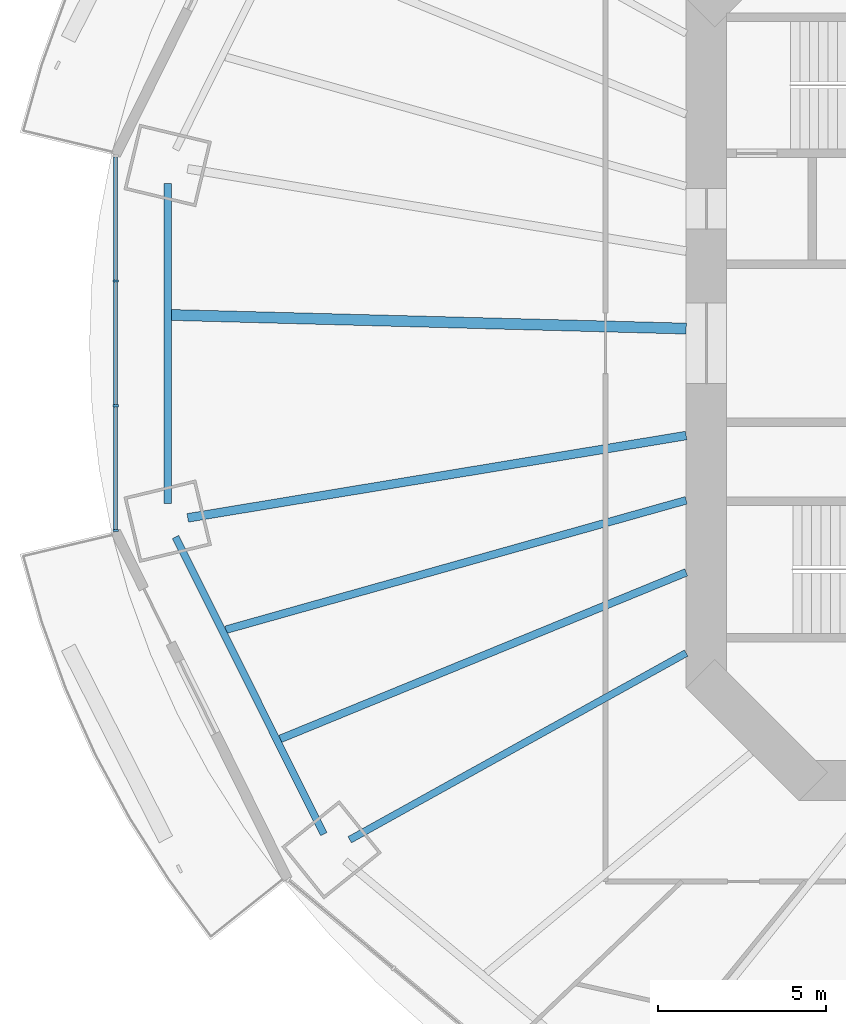
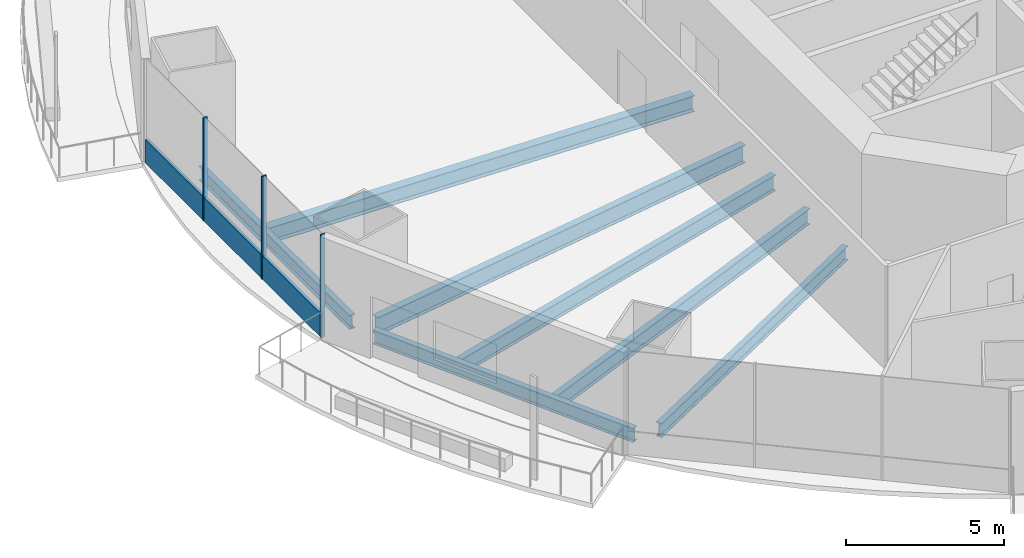
# One storey, part 3 of 22: 7 beams, 4 members, 1 element without a shape of its own.
"""IFC4 building model written with IfcOpenShell, lengths in metres."""

from ifc_helpers import new_model, si_unit, direction, frame, origin, origin_2d, place, context, subcontext, project, spatial, rectangle, i_section, extrude, material, material_profile, profile_set, type_object, element, aggregate, save


model = new_model("IFC4")

# Units and contexts
model_context = context("Model", 3, precision=1e-05, world=origin(), true_north=direction((0.0, 1.0)))
body_context = subcontext(model_context, "Body", "Model", "MODEL_VIEW")
ifc_project = project(units=[si_unit("LENGTHUNIT", "METRE"), si_unit("AREAUNIT", "SQUARE_METRE"), si_unit("VOLUMEUNIT", "CUBIC_METRE"), si_unit("PLANEANGLEUNIT", "RADIAN"), si_unit("MASSUNIT", "GRAM", prefix="KILO")], contexts=[model_context])

# Site, building, storey
site_placement = place(None, origin())
site = spatial("IfcSite", under=ifc_project, at=site_placement, CompositionType="ELEMENT")
building_placement = place(site_placement, origin())
building = spatial("IfcBuilding", under=site, at=building_placement, Name="Marenthal Gate Tower", CompositionType="ELEMENT")
storey_placement = place(building_placement, frame((0.0, 0.0, 116.0)))
storey = spatial("IfcBuildingStorey", under=building, at=storey_placement, Name="L24", CompositionType="ELEMENT", Elevation=116.0)

# Curtain wall, members
ifc_material_1 = material(Name="Aluminium and glass", Category="aluminium")
curtain_wall_type = type_object("IfcCurtainWallType", Name="Curtain wall typical low", PredefinedType="NOTDEFINED", material=ifc_material_1)
curtain_wall_placement = place(storey_placement, origin())
curtain_wall = element("IfcCurtainWall", 1, at=curtain_wall_placement, inside=storey, type_object=curtain_wall_type, Name="Curtain wall L24 bay 8", PredefinedType="NOTDEFINED")
ifc_material_2 = material(Name="Aluminium", Category="aluminium")
ifc_material_profile_1 = material_profile(ifc_material_2, rectangle(XDim=0.159912109375, YDim=0.06005859375, at=origin_2d()), Name="60x160 aluminium mullion")
ifc_profile_set_1 = profile_set([ifc_material_profile_1], Name="Aluminium")
member_type_1 = type_object("IfcMemberType", Name="Mullion 60x160 typical low", PredefinedType="MULLION", material=ifc_profile_set_1)
member_1_placement = place(storey_placement, frame((-33.568359375, 1.855712890625, 0.0), z_axis=(0.0, 0.0, 1.0), x_axis=(1.0, 0.0, 0.0)))
member_1 = element("IfcMember", 2, at=member_1_placement, type_object=member_type_1, Name="Mullion L24 bay 8.2", PredefinedType="MULLION", context=body_context, shape_type="SweptSolid", body=[
    extrude(rectangle(XDim=0.159912109375, YDim=0.06005859375, at=origin_2d()), origin(), (0.0, 0.0, 1.0), 3.969970703125),
])
member_2_placement = place(storey_placement, frame((-33.568359375, -1.855712890625, 0.0), z_axis=(0.0, 0.0, 1.0), x_axis=(1.0, 0.0, 0.0)))
member_2 = element("IfcMember", 3, at=member_2_placement, type_object=member_type_1, Name="Mullion L24 bay 8.3", PredefinedType="MULLION", context=body_context, shape_type="SweptSolid", body=[
    extrude(rectangle(XDim=0.159912109375, YDim=0.06005859375, at=origin_2d()), origin(), (0.0, 0.0, 1.0), 3.969970703125),
])
member_3_placement = place(storey_placement, frame((-33.568359375, -5.56689453125, 0.0), z_axis=(0.0, 0.0, 1.0), x_axis=(1.0, 0.0, 0.0)))
member_3 = element("IfcMember", 4, at=member_3_placement, type_object=member_type_1, Name="Mullion L24 bay 8.4", PredefinedType="MULLION", context=body_context, shape_type="SweptSolid", body=[
    extrude(rectangle(XDim=0.159912109375, YDim=0.06005859375, at=origin_2d()), origin(), (0.0, 0.0, 1.0), 3.969970703125),
])
ifc_material_3 = material(Name="Aluminium", Category="aluminium")
ifc_material_profile_2 = material_profile(ifc_material_3, rectangle(XDim=0.1201171875, YDim=0.89990234375, at=origin_2d()), Name="120x900 aluminium transom")
ifc_profile_set_2 = profile_set([ifc_material_profile_2], Name="Aluminium")
member_type_2 = type_object("IfcMemberType", Name="Transom 120x900 typical low", PredefinedType="USERDEFINED", material=ifc_profile_set_2)
member_4_placement = place(storey_placement, frame((-33.568359375, 5.536865234375, 0.449951171875), z_axis=(0.0, -1.0, 0.0), x_axis=(1.0, 0.0, 0.0)))
member_4 = element("IfcMember", 5, at=member_4_placement, type_object=member_type_2, Name="Transom L24 bay 8", ObjectType="TRANSOM", PredefinedType="USERDEFINED", context=body_context, shape_type="SweptSolid", body=[
    extrude(rectangle(XDim=0.1201171875, YDim=0.89990234375, at=origin_2d()), origin(), (0.0, 0.0, 1.0), 11.07373046875),
])
aggregate(curtain_wall, [member_1, member_2, member_3, member_4])

# Beams
ifc_material_4 = material(Name="Steel S355", Category="steel")
ifc_material_profile_3 = material_profile(ifc_material_4, i_section(OverallWidth=0.2119140625, OverallDepth=0.5439453125, WebThickness=0.01318359375, FlangeThickness=0.021240234375, FilletRadius=0.0126953125, at=origin_2d()), Name="W530X123")
ifc_profile_set_3 = profile_set([ifc_material_profile_3], Name="Steel S355")
beam_type_1 = type_object("IfcBeamType", Name="W530X123 beam", PredefinedType="BEAM", material=ifc_profile_set_3)
beam_1_placement = place(storey_placement, frame((-26.605224609375, -14.761474609375, -0.451904296875), z_axis=(0.87442184895, 0.485166394218, 0.0), x_axis=(-0.485166394218, 0.87442184895, 0.0)))
element("IfcBeam", 6, at=beam_1_placement, inside=storey, type_object=beam_type_1, Name="BM-L24-10", PredefinedType="BEAM", context=body_context, shape_type="SweptSolid", body=[
    extrude(i_section(OverallWidth=0.2119140625, OverallDepth=0.5439453125, WebThickness=0.01318359375, FlangeThickness=0.021240234375, FilletRadius=0.0126953125, at=origin_2d()), origin(), (0.0, 0.0, 1.0), 11.44189453125),
])
beam_2_placement = place(storey_placement, frame((-32.018798828125, 4.76025390625, -0.451904296875), z_axis=(0.0, -1.0, 0.0), x_axis=(1.0, 0.0, 0.0)))
element("IfcBeam", 7, at=beam_2_placement, inside=storey, type_object=beam_type_1, Name="BM-L24-48", PredefinedType="BEAM", context=body_context, shape_type="SweptSolid", body=[
    extrude(i_section(OverallWidth=0.2119140625, OverallDepth=0.5439453125, WebThickness=0.01318359375, FlangeThickness=0.021240234375, FilletRadius=0.0126953125, at=origin_2d()), origin(), (0.0, 0.0, 1.0), 9.5205078125),
])
beam_3_placement = place(storey_placement, frame((-31.78369140625, -5.759521484375, -0.451904296875), z_axis=(0.446372399163, -0.894847294942, 0.0), x_axis=(0.894847294942, 0.446372399163, 0.0)))
element("IfcBeam", 8, at=beam_3_placement, inside=storey, type_object=beam_type_1, Name="BM-L24-49", PredefinedType="BEAM", context=body_context, shape_type="SweptSolid", body=[
    extrude(i_section(OverallWidth=0.2119140625, OverallDepth=0.5439453125, WebThickness=0.01318359375, FlangeThickness=0.021240234375, FilletRadius=0.0126953125, at=origin_2d()), origin(), (0.0, 0.0, 1.0), 9.8701171875),
])
ifc_material_5 = material(Name="Steel S355", Category="steel")
ifc_material_profile_4 = material_profile(ifc_material_5, i_section(OverallWidth=0.22900390625, OverallDepth=0.612060546875, WebThickness=0.011962890625, FlangeThickness=0.01953125, FilletRadius=0.0126953125, at=origin_2d()), Name="W610X125")
ifc_profile_set_4 = profile_set([ifc_material_profile_4], Name="Steel S355")
beam_type_2 = type_object("IfcBeamType", Name="W610X125 beam", PredefinedType="BEAM", material=ifc_profile_set_4)
beam_4_placement = place(storey_placement, frame((-30.2900390625, -8.5166015625, -0.486083984375), z_axis=(0.962672470775, 0.270669011917, 0.0), x_axis=(-0.270669011917, 0.962672470775, 0.0)))
element("IfcBeam", 9, at=beam_4_placement, inside=storey, type_object=beam_type_2, Name="BM-L24-29", PredefinedType="BEAM", context=body_context, shape_type="SweptSolid", body=[
    extrude(i_section(OverallWidth=0.22900390625, OverallDepth=0.612060546875, WebThickness=0.011962890625, FlangeThickness=0.01953125, FilletRadius=0.0126953125, at=origin_2d()), origin(), (0.0, 0.0, 1.0), 14.220703125),
])
beam_5_placement = place(storey_placement, frame((-28.670654296875, -11.7626953125, -0.486083984375), z_axis=(0.925165248612, 0.379564569949, 0.0), x_axis=(-0.379564569949, 0.925165248612, 0.0)))
element("IfcBeam", 10, at=beam_5_placement, inside=storey, type_object=beam_type_2, Name="BM-L24-30", PredefinedType="BEAM", context=body_context, shape_type="SweptSolid", body=[
    extrude(i_section(OverallWidth=0.22900390625, OverallDepth=0.612060546875, WebThickness=0.011962890625, FlangeThickness=0.01953125, FilletRadius=0.0126953125, at=origin_2d()), origin(), (0.0, 0.0, 1.0), 13.046875),
])
ifc_material_6 = material(Name="Steel S355", Category="steel")
ifc_material_profile_5 = material_profile(ifc_material_6, i_section(OverallWidth=0.324951171875, OverallDepth=0.612060546875, WebThickness=0.0126953125, FlangeThickness=0.01904296875, FilletRadius=0.0126953125, at=origin_2d()), Name="W610X155")
ifc_profile_set_5 = profile_set([ifc_material_profile_5], Name="Steel S355")
beam_type_3 = type_object("IfcBeamType", Name="W610X155 beam", PredefinedType="BEAM", material=ifc_profile_set_5)
beam_6_placement = place(storey_placement, frame((-31.91259765625, 0.843505859375, -0.486083984375), z_axis=(0.999650779754, -0.02642571736, 0.0), x_axis=(0.02642571736, 0.999650779754, 0.0)))
element("IfcBeam", 11, at=beam_6_placement, inside=storey, type_object=beam_type_3, Name="BM-L24-28", PredefinedType="BEAM", context=body_context, shape_type="SweptSolid", body=[
    extrude(i_section(OverallWidth=0.324951171875, OverallDepth=0.612060546875, WebThickness=0.0126953125, FlangeThickness=0.01904296875, FilletRadius=0.0126953125, at=origin_2d()), origin(), (0.0, 0.0, 1.0), 15.31787109375),
])
ifc_material_7 = material(Name="Steel S355", Category="steel")
ifc_material_profile_6 = material_profile(ifc_material_7, i_section(OverallWidth=0.257080078125, OverallDepth=0.693115234375, WebThickness=0.014404296875, FlangeThickness=0.023681640625, FilletRadius=0.015380859375, at=origin_2d()), Name="W690X170")
ifc_profile_set_6 = profile_set([ifc_material_profile_6], Name="Steel S355")
beam_type_4 = type_object("IfcBeamType", Name="W690X170 beam", PredefinedType="BEAM", material=ifc_profile_set_6)
beam_7_placement = place(storey_placement, frame((-31.423828125, -5.190185546875, -0.526611328125), z_axis=(0.986631792526, 0.162965352074, 0.0), x_axis=(-0.162965352074, 0.986631792526, 0.0)))
element("IfcBeam", 12, at=beam_7_placement, inside=storey, type_object=beam_type_4, Name="BM-L24-09", PredefinedType="BEAM", context=body_context, shape_type="SweptSolid", body=[
    extrude(i_section(OverallWidth=0.257080078125, OverallDepth=0.693115234375, WebThickness=0.014404296875, FlangeThickness=0.023681640625, FilletRadius=0.015380859375, at=origin_2d()), origin(), (0.0, 0.0, 1.0), 15.024658203125),
])

save(model, "model.ifc")
